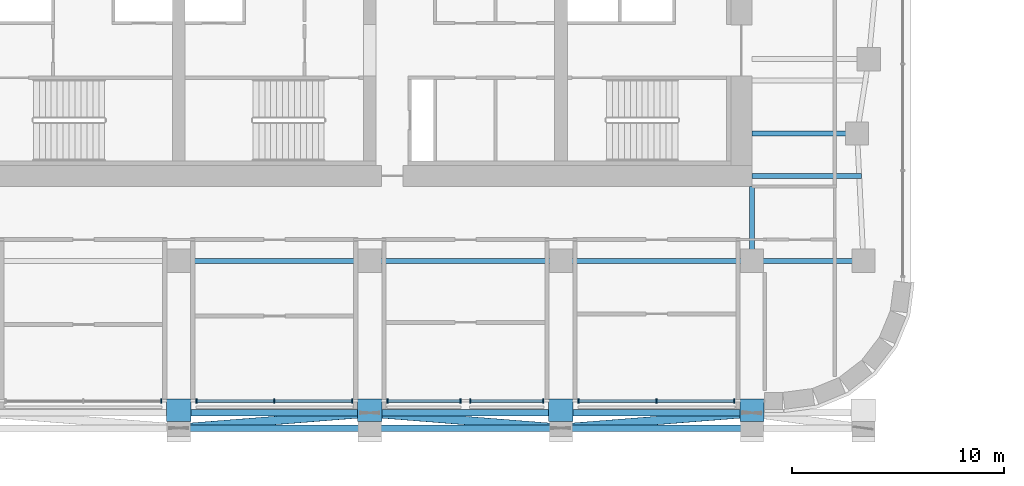
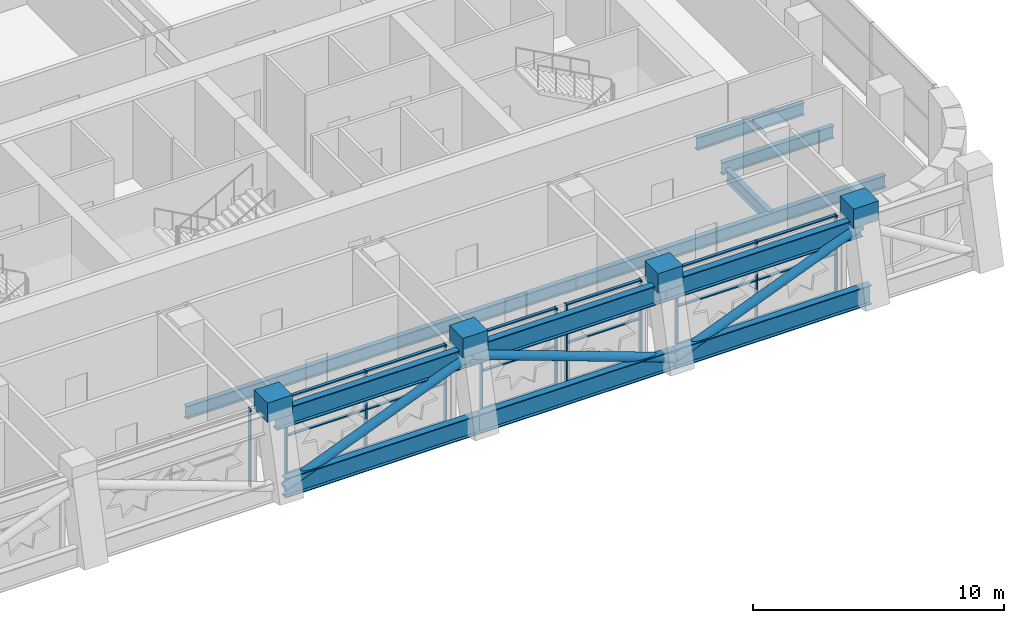
# One storey, part 4 of 27: 38 members, 9 beams, 5 elements without a shape of their own.
"""IFC4 building model written with IfcOpenShell, lengths in metres."""

from ifc_helpers import new_model, si_unit, direction, frame, origin, origin_2d, place, context, subcontext, project, spatial, rectangle, hollow_circle, i_section, extrude, material, material_profile, profile_set, type_object, element, aggregate, save


model = new_model("IFC4")

# Units and contexts
model_context = context("Model", 3, precision=1e-05, world=origin(), true_north=direction((0.0, 1.0)))
body_context = subcontext(model_context, "Body", "Model", "MODEL_VIEW")
ifc_project = project(units=[si_unit("LENGTHUNIT", "METRE"), si_unit("AREAUNIT", "SQUARE_METRE"), si_unit("VOLUMEUNIT", "CUBIC_METRE"), si_unit("PLANEANGLEUNIT", "RADIAN"), si_unit("MASSUNIT", "GRAM", prefix="KILO")], contexts=[model_context])

# Site, building, storey
site_placement = place(None, origin())
site = spatial("IfcSite", under=ifc_project, at=site_placement, CompositionType="ELEMENT")
building_placement = place(site_placement, origin())
building = spatial("IfcBuilding", under=site, at=building_placement, Name="Zellij Exchange Tower", CompositionType="ELEMENT")
storey_placement = place(building_placement, frame((0.0, 0.0, 104.5)))
storey = spatial("IfcBuildingStorey", under=building, at=storey_placement, Name="L22", CompositionType="ELEMENT", Elevation=104.5)

# Curtain wall, member
ifc_material_1 = material(Name="Aluminium frame, clear insulating glass", Category="aluminium")
curtain_wall_type = type_object("IfcCurtainWallType", Name="ENV-CW2 Outrigger-storey glazing", PredefinedType="NOTDEFINED", material=ifc_material_1)
curtain_wall_1_placement = place(storey_placement, origin())
curtain_wall_1 = element("IfcCurtainWall", 1, at=curtain_wall_1_placement, inside=storey, type_object=curtain_wall_type, Name="cw.L22.00e", PredefinedType="NOTDEFINED")
ifc_material_2 = material(Name="Aluminium", Category="aluminium")
ifc_material_profile_1 = material_profile(ifc_material_2, rectangle(XDim=0.06005859375, YDim=0.199951171875, at=origin_2d()), Name="AL 60x200")
ifc_profile_set_1 = profile_set([ifc_material_profile_1], Name="Aluminium")
member_type_1 = type_object("IfcMemberType", Name="ENV-CW2M Mullion 60x200", PredefinedType="MULLION", material=ifc_profile_set_1)
member_1_placement = place(storey_placement, frame((-0.830078125, -24.10009765625, 0.0), z_axis=(0.0, 0.0, 1.0), x_axis=(1.0, 0.0, 0.0)))
member_1 = element("IfcMember", 2, at=member_1_placement, type_object=member_type_1, Name="CW2 mullion 3", PredefinedType="MULLION", context=body_context, shape_type="SweptSolid", body=[
    extrude(rectangle(XDim=0.06005859375, YDim=0.199951171875, at=origin_2d()), origin(), (0.0, 0.0, 1.0), 3.800048828125),
])
aggregate(curtain_wall_1, [member_1])

# Curtain wall, members
curtain_wall_2_placement = place(storey_placement, origin())
curtain_wall_2 = element("IfcCurtainWall", 3, at=curtain_wall_2_placement, inside=storey, type_object=curtain_wall_type, Name="cw.L22.00f", PredefinedType="NOTDEFINED")
member_2_placement = place(storey_placement, frame((0.830078125, -24.10009765625, 0.0), z_axis=(0.0, 0.0, 1.0), x_axis=(1.0, 0.0, 0.0)))
member_2 = element("IfcMember", 4, at=member_2_placement, type_object=member_type_1, Name="CW2 mullion 1", PredefinedType="MULLION", context=body_context, shape_type="SweptSolid", body=[
    extrude(rectangle(XDim=0.06005859375, YDim=0.199951171875, at=origin_2d()), origin(), (0.0, 0.0, 1.0), 3.800048828125),
])
member_3_placement = place(storey_placement, frame((4.5, -24.10009765625, 0.0), z_axis=(0.0, 0.0, 1.0), x_axis=(1.0, 0.0, 0.0)))
member_3 = element("IfcMember", 5, at=member_3_placement, type_object=member_type_1, Name="CW2 mullion 2", PredefinedType="MULLION", context=body_context, shape_type="SweptSolid", body=[
    extrude(rectangle(XDim=0.06005859375, YDim=0.199951171875, at=origin_2d()), origin(), (0.0, 0.0, 1.0), 3.800048828125),
])
member_4_placement = place(storey_placement, frame((8.169921875, -24.10009765625, 0.0), z_axis=(0.0, 0.0, 1.0), x_axis=(1.0, 0.0, 0.0)))
member_4 = element("IfcMember", 6, at=member_4_placement, type_object=member_type_1, Name="CW2 mullion 3", PredefinedType="MULLION", context=body_context, shape_type="SweptSolid", body=[
    extrude(rectangle(XDim=0.06005859375, YDim=0.199951171875, at=origin_2d()), origin(), (0.0, 0.0, 1.0), 3.800048828125),
])

curtain_wall_3_placement = place(storey_placement, origin())
curtain_wall_3 = element("IfcCurtainWall", 7, at=curtain_wall_3_placement, inside=storey, type_object=curtain_wall_type, Name="cw.L22.00g", PredefinedType="NOTDEFINED")
member_5_placement = place(storey_placement, frame((9.830078125, -24.10009765625, 0.0), z_axis=(0.0, 0.0, 1.0), x_axis=(1.0, 0.0, 0.0)))
member_5 = element("IfcMember", 8, at=member_5_placement, type_object=member_type_1, Name="CW2 mullion 1", PredefinedType="MULLION", context=body_context, shape_type="SweptSolid", body=[
    extrude(rectangle(XDim=0.06005859375, YDim=0.199951171875, at=origin_2d()), origin(), (0.0, 0.0, 1.0), 3.800048828125),
])
member_6_placement = place(storey_placement, frame((13.27001953125, -24.10009765625, 0.0), z_axis=(0.0, 0.0, 1.0), x_axis=(1.0, 0.0, 0.0)))
member_6 = element("IfcMember", 9, at=member_6_placement, type_object=member_type_1, Name="CW2 mullion 2", PredefinedType="MULLION", context=body_context, shape_type="SweptSolid", body=[
    extrude(rectangle(XDim=0.06005859375, YDim=0.199951171875, at=origin_2d()), origin(), (0.0, 0.0, 1.0), 3.800048828125),
])

curtain_wall_4_placement = place(storey_placement, origin())
curtain_wall_4 = element("IfcCurtainWall", 10, at=curtain_wall_4_placement, inside=storey, type_object=curtain_wall_type, Name="cw.L22.00h", PredefinedType="NOTDEFINED")
member_7_placement = place(storey_placement, frame((13.72998046875, -24.10009765625, 0.0), z_axis=(0.0, 0.0, 1.0), x_axis=(1.0, 0.0, 0.0)))
member_7 = element("IfcMember", 11, at=member_7_placement, type_object=member_type_1, Name="CW2 mullion 1", PredefinedType="MULLION", context=body_context, shape_type="SweptSolid", body=[
    extrude(rectangle(XDim=0.06005859375, YDim=0.199951171875, at=origin_2d()), origin(), (0.0, 0.0, 1.0), 3.800048828125),
])
member_8_placement = place(storey_placement, frame((17.169921875, -24.10009765625, 0.0), z_axis=(0.0, 0.0, 1.0), x_axis=(1.0, 0.0, 0.0)))
member_8 = element("IfcMember", 12, at=member_8_placement, type_object=member_type_1, Name="CW2 mullion 2", PredefinedType="MULLION", context=body_context, shape_type="SweptSolid", body=[
    extrude(rectangle(XDim=0.06005859375, YDim=0.199951171875, at=origin_2d()), origin(), (0.0, 0.0, 1.0), 3.800048828125),
])

curtain_wall_5_placement = place(storey_placement, origin())
curtain_wall_5 = element("IfcCurtainWall", 13, at=curtain_wall_5_placement, inside=storey, type_object=curtain_wall_type, Name="cw.L22.00i", PredefinedType="NOTDEFINED")
member_9_placement = place(storey_placement, frame((18.830078125, -24.10009765625, 0.0), z_axis=(0.0, 0.0, 1.0), x_axis=(1.0, 0.0, 0.0)))
member_9 = element("IfcMember", 14, at=member_9_placement, type_object=member_type_1, Name="CW2 mullion 1", PredefinedType="MULLION", context=body_context, shape_type="SweptSolid", body=[
    extrude(rectangle(XDim=0.06005859375, YDim=0.199951171875, at=origin_2d()), origin(), (0.0, 0.0, 1.0), 3.800048828125),
])
member_10_placement = place(storey_placement, frame((22.5, -24.10009765625, 0.0), z_axis=(0.0, 0.0, 1.0), x_axis=(1.0, 0.0, 0.0)))
member_10 = element("IfcMember", 15, at=member_10_placement, type_object=member_type_1, Name="CW2 mullion 2", PredefinedType="MULLION", context=body_context, shape_type="SweptSolid", body=[
    extrude(rectangle(XDim=0.06005859375, YDim=0.199951171875, at=origin_2d()), origin(), (0.0, 0.0, 1.0), 3.800048828125),
])
member_11_placement = place(storey_placement, frame((26.169921875, -24.10009765625, 0.0), z_axis=(0.0, 0.0, 1.0), x_axis=(1.0, 0.0, 0.0)))
member_11 = element("IfcMember", 16, at=member_11_placement, type_object=member_type_1, Name="CW2 mullion 3", PredefinedType="MULLION", context=body_context, shape_type="SweptSolid", body=[
    extrude(rectangle(XDim=0.06005859375, YDim=0.199951171875, at=origin_2d()), origin(), (0.0, 0.0, 1.0), 3.800048828125),
])

# Member
ifc_material_profile_2 = material_profile(ifc_material_2, rectangle(XDim=0.139892578125, YDim=0.06005859375, at=origin_2d()), Name="AL 140x60")
ifc_profile_set_2 = profile_set([ifc_material_profile_2], Name="Aluminium")
member_type_2 = type_object("IfcMemberType", Name="ENV-CW2T Transom 140x60", PredefinedType="USERDEFINED", material=ifc_profile_set_2)
member_12_placement = place(storey_placement, frame((0.860107421875, -24.10009765625, 0.030029296875), z_axis=(1.0, 0.0, 0.0), x_axis=(0.0, 1.0, 0.0)))
member_12 = element("IfcMember", 17, at=member_12_placement, type_object=member_type_2, Name="CW2 transom 1.1", ObjectType="TRANSOM", PredefinedType="USERDEFINED", context=body_context, shape_type="SweptSolid", body=[
    extrude(rectangle(XDim=0.139892578125, YDim=0.06005859375, at=origin_2d()), origin(), (0.0, 0.0, 1.0), 3.60986328125),
])

member_13_placement = place(storey_placement, frame((0.860107421875, -24.10009765625, 1.89990234375), z_axis=(1.0, 0.0, 0.0), x_axis=(0.0, 1.0, 0.0)))
member_13 = element("IfcMember", 18, at=member_13_placement, type_object=member_type_2, Name="CW2 transom 1.2", ObjectType="TRANSOM", PredefinedType="USERDEFINED", context=body_context, shape_type="SweptSolid", body=[
    extrude(rectangle(XDim=0.139892578125, YDim=0.06005859375, at=origin_2d()), origin(), (0.0, 0.0, 1.0), 3.60986328125),
])

member_14_placement = place(storey_placement, frame((0.860107421875, -24.10009765625, 3.77001953125), z_axis=(1.0, 0.0, 0.0), x_axis=(0.0, 1.0, 0.0)))
member_14 = element("IfcMember", 19, at=member_14_placement, type_object=member_type_2, Name="CW2 transom 1.3", ObjectType="TRANSOM", PredefinedType="USERDEFINED", context=body_context, shape_type="SweptSolid", body=[
    extrude(rectangle(XDim=0.139892578125, YDim=0.06005859375, at=origin_2d()), origin(), (0.0, 0.0, 1.0), 3.60986328125),
])

member_15_placement = place(storey_placement, frame((4.530029296875, -24.10009765625, 0.030029296875), z_axis=(1.0, 0.0, 0.0), x_axis=(0.0, 1.0, 0.0)))
member_15 = element("IfcMember", 20, at=member_15_placement, type_object=member_type_2, Name="CW2 transom 2.1", ObjectType="TRANSOM", PredefinedType="USERDEFINED", context=body_context, shape_type="SweptSolid", body=[
    extrude(rectangle(XDim=0.139892578125, YDim=0.06005859375, at=origin_2d()), origin(), (0.0, 0.0, 1.0), 3.60986328125),
])

member_16_placement = place(storey_placement, frame((4.530029296875, -24.10009765625, 1.89990234375), z_axis=(1.0, 0.0, 0.0), x_axis=(0.0, 1.0, 0.0)))
member_16 = element("IfcMember", 21, at=member_16_placement, type_object=member_type_2, Name="CW2 transom 2.2", ObjectType="TRANSOM", PredefinedType="USERDEFINED", context=body_context, shape_type="SweptSolid", body=[
    extrude(rectangle(XDim=0.139892578125, YDim=0.06005859375, at=origin_2d()), origin(), (0.0, 0.0, 1.0), 3.60986328125),
])

member_17_placement = place(storey_placement, frame((4.530029296875, -24.10009765625, 3.77001953125), z_axis=(1.0, 0.0, 0.0), x_axis=(0.0, 1.0, 0.0)))
member_17 = element("IfcMember", 22, at=member_17_placement, type_object=member_type_2, Name="CW2 transom 2.3", ObjectType="TRANSOM", PredefinedType="USERDEFINED", context=body_context, shape_type="SweptSolid", body=[
    extrude(rectangle(XDim=0.139892578125, YDim=0.06005859375, at=origin_2d()), origin(), (0.0, 0.0, 1.0), 3.60986328125),
])

aggregate(curtain_wall_2, [member_2, member_3, member_4, member_12, member_13, member_14, member_15, member_16, member_17])

member_18_placement = place(storey_placement, frame((9.860107421875, -24.10009765625, 0.030029296875), z_axis=(1.0, 0.0, 0.0), x_axis=(0.0, 1.0, 0.0)))
member_18 = element("IfcMember", 23, at=member_18_placement, type_object=member_type_2, Name="CW2 transom 1.1", ObjectType="TRANSOM", PredefinedType="USERDEFINED", context=body_context, shape_type="SweptSolid", body=[
    extrude(rectangle(XDim=0.139892578125, YDim=0.06005859375, at=origin_2d()), origin(), (0.0, 0.0, 1.0), 3.3798828125),
])

member_19_placement = place(storey_placement, frame((9.860107421875, -24.10009765625, 1.89990234375), z_axis=(1.0, 0.0, 0.0), x_axis=(0.0, 1.0, 0.0)))
member_19 = element("IfcMember", 24, at=member_19_placement, type_object=member_type_2, Name="CW2 transom 1.2", ObjectType="TRANSOM", PredefinedType="USERDEFINED", context=body_context, shape_type="SweptSolid", body=[
    extrude(rectangle(XDim=0.139892578125, YDim=0.06005859375, at=origin_2d()), origin(), (0.0, 0.0, 1.0), 3.3798828125),
])

member_20_placement = place(storey_placement, frame((9.860107421875, -24.10009765625, 3.77001953125), z_axis=(1.0, 0.0, 0.0), x_axis=(0.0, 1.0, 0.0)))
member_20 = element("IfcMember", 25, at=member_20_placement, type_object=member_type_2, Name="CW2 transom 1.3", ObjectType="TRANSOM", PredefinedType="USERDEFINED", context=body_context, shape_type="SweptSolid", body=[
    extrude(rectangle(XDim=0.139892578125, YDim=0.06005859375, at=origin_2d()), origin(), (0.0, 0.0, 1.0), 3.3798828125),
])

aggregate(curtain_wall_3, [member_5, member_6, member_18, member_19, member_20])

member_21_placement = place(storey_placement, frame((13.760009765625, -24.10009765625, 0.030029296875), z_axis=(1.0, 0.0, 0.0), x_axis=(0.0, 1.0, 0.0)))
member_21 = element("IfcMember", 26, at=member_21_placement, type_object=member_type_2, Name="CW2 transom 1.1", ObjectType="TRANSOM", PredefinedType="USERDEFINED", context=body_context, shape_type="SweptSolid", body=[
    extrude(rectangle(XDim=0.139892578125, YDim=0.06005859375, at=origin_2d()), origin(), (0.0, 0.0, 1.0), 3.3798828125),
])

member_22_placement = place(storey_placement, frame((13.760009765625, -24.10009765625, 1.89990234375), z_axis=(1.0, 0.0, 0.0), x_axis=(0.0, 1.0, 0.0)))
member_22 = element("IfcMember", 27, at=member_22_placement, type_object=member_type_2, Name="CW2 transom 1.2", ObjectType="TRANSOM", PredefinedType="USERDEFINED", context=body_context, shape_type="SweptSolid", body=[
    extrude(rectangle(XDim=0.139892578125, YDim=0.06005859375, at=origin_2d()), origin(), (0.0, 0.0, 1.0), 3.3798828125),
])

member_23_placement = place(storey_placement, frame((13.760009765625, -24.10009765625, 3.77001953125), z_axis=(1.0, 0.0, 0.0), x_axis=(0.0, 1.0, 0.0)))
member_23 = element("IfcMember", 28, at=member_23_placement, type_object=member_type_2, Name="CW2 transom 1.3", ObjectType="TRANSOM", PredefinedType="USERDEFINED", context=body_context, shape_type="SweptSolid", body=[
    extrude(rectangle(XDim=0.139892578125, YDim=0.06005859375, at=origin_2d()), origin(), (0.0, 0.0, 1.0), 3.3798828125),
])

aggregate(curtain_wall_4, [member_7, member_8, member_21, member_22, member_23])

member_24_placement = place(storey_placement, frame((18.860107421875, -24.10009765625, 0.030029296875), z_axis=(1.0, 0.0, 0.0), x_axis=(0.0, 1.0, 0.0)))
member_24 = element("IfcMember", 29, at=member_24_placement, type_object=member_type_2, Name="CW2 transom 1.1", ObjectType="TRANSOM", PredefinedType="USERDEFINED", context=body_context, shape_type="SweptSolid", body=[
    extrude(rectangle(XDim=0.139892578125, YDim=0.06005859375, at=origin_2d()), origin(), (0.0, 0.0, 1.0), 3.60986328125),
])

member_25_placement = place(storey_placement, frame((18.860107421875, -24.10009765625, 1.89990234375), z_axis=(1.0, 0.0, 0.0), x_axis=(0.0, 1.0, 0.0)))
member_25 = element("IfcMember", 30, at=member_25_placement, type_object=member_type_2, Name="CW2 transom 1.2", ObjectType="TRANSOM", PredefinedType="USERDEFINED", context=body_context, shape_type="SweptSolid", body=[
    extrude(rectangle(XDim=0.139892578125, YDim=0.06005859375, at=origin_2d()), origin(), (0.0, 0.0, 1.0), 3.60986328125),
])

member_26_placement = place(storey_placement, frame((18.860107421875, -24.10009765625, 3.77001953125), z_axis=(1.0, 0.0, 0.0), x_axis=(0.0, 1.0, 0.0)))
member_26 = element("IfcMember", 31, at=member_26_placement, type_object=member_type_2, Name="CW2 transom 1.3", ObjectType="TRANSOM", PredefinedType="USERDEFINED", context=body_context, shape_type="SweptSolid", body=[
    extrude(rectangle(XDim=0.139892578125, YDim=0.06005859375, at=origin_2d()), origin(), (0.0, 0.0, 1.0), 3.60986328125),
])

member_27_placement = place(storey_placement, frame((22.530029296875, -24.10009765625, 0.030029296875), z_axis=(1.0, 0.0, 0.0), x_axis=(0.0, 1.0, 0.0)))
member_27 = element("IfcMember", 32, at=member_27_placement, type_object=member_type_2, Name="CW2 transom 2.1", ObjectType="TRANSOM", PredefinedType="USERDEFINED", context=body_context, shape_type="SweptSolid", body=[
    extrude(rectangle(XDim=0.139892578125, YDim=0.06005859375, at=origin_2d()), origin(), (0.0, 0.0, 1.0), 3.60986328125),
])

member_28_placement = place(storey_placement, frame((22.530029296875, -24.10009765625, 1.89990234375), z_axis=(1.0, 0.0, 0.0), x_axis=(0.0, 1.0, 0.0)))
member_28 = element("IfcMember", 33, at=member_28_placement, type_object=member_type_2, Name="CW2 transom 2.2", ObjectType="TRANSOM", PredefinedType="USERDEFINED", context=body_context, shape_type="SweptSolid", body=[
    extrude(rectangle(XDim=0.139892578125, YDim=0.06005859375, at=origin_2d()), origin(), (0.0, 0.0, 1.0), 3.60986328125),
])

member_29_placement = place(storey_placement, frame((22.530029296875, -24.10009765625, 3.77001953125), z_axis=(1.0, 0.0, 0.0), x_axis=(0.0, 1.0, 0.0)))
member_29 = element("IfcMember", 34, at=member_29_placement, type_object=member_type_2, Name="CW2 transom 2.3", ObjectType="TRANSOM", PredefinedType="USERDEFINED", context=body_context, shape_type="SweptSolid", body=[
    extrude(rectangle(XDim=0.139892578125, YDim=0.06005859375, at=origin_2d()), origin(), (0.0, 0.0, 1.0), 3.60986328125),
])

aggregate(curtain_wall_5, [member_9, member_10, member_11, member_24, member_25, member_26, member_27, member_28, member_29])

# Beam
ifc_material_3 = material(Name="Structural steel ASTM A992 Gr 50", Category="steel")
ifc_material_profile_3 = material_profile(ifc_material_3, i_section(OverallWidth=0.227783203125, OverallDepth=0.60205078125, WebThickness=0.010498046875, FlangeThickness=0.014892578125, at=origin_2d()), Name="W24x68")
ifc_profile_set_3 = profile_set([ifc_material_profile_3], Name="Structural steel ASTM A992 Gr 50")
beam_type_1 = type_object("IfcBeamType", Name="STR-BEAM W24x68", PredefinedType="BEAM", material=ifc_profile_set_3)
beam_1_placement = place(storey_placement, frame((27.0, -13.5, -0.65087890625), z_axis=(1.0, 0.0, 0.0), x_axis=(0.0, 1.0, 0.0)))
element("IfcBeam", 35, at=beam_1_placement, inside=storey, type_object=beam_type_1, Name="B5", PredefinedType="BEAM", context=body_context, shape_type="SweptSolid", body=[
    extrude(i_section(OverallWidth=0.227783203125, OverallDepth=0.60205078125, WebThickness=0.010498046875, FlangeThickness=0.014892578125, at=origin_2d()), origin(), (0.0, 0.0, 1.0), 5.164794921875),
])

# Members
ifc_material_profile_4 = material_profile(ifc_material_3, i_section(OverallWidth=0.307373046875, OverallDepth=0.9423828125, WebThickness=0.022216796875, FlangeThickness=0.039794921875, at=origin_2d()), Name="W36x232")
ifc_profile_set_4 = profile_set([ifc_material_profile_4], Name="Structural steel ASTM A992 Gr 50")
member_type_3 = type_object("IfcMemberType", Name="STR-BELT TRUSS CHORD W36x232", PredefinedType="CHORD", material=ifc_profile_set_4)
for number, where, z_axis, x_axis, name in (
    (36, (0.0, -25.382080078125, 0.47119140625), (1.0, 0.0, 0.0), (0.0, 1.0, 0.0), "BT1"),
    (37, (0.0, -24.667724609375, 3.328857421875), (1.0, 0.0, 0.0), (0.0, 1.0, 0.0), "BT1"),
    (38, (9.0, -25.382080078125, 0.47119140625), (1.0, 0.0, 0.0), (0.0, 1.0, 0.0), "BT1"),
    (39, (9.0, -24.667724609375, 3.328857421875), (1.0, 0.0, 0.0), (0.0, 1.0, 0.0), "BT1"),
    (40, (18.0, -25.382080078125, 0.47119140625), (1.0, 0.0, 0.0), (0.0, 1.0, 0.0), "BT1"),
    (41, (18.0, -24.667724609375, 3.328857421875), (1.0, 0.0, 0.0), (0.0, 1.0, 0.0), "BT1"),
):
    element("IfcMember", number, at=place(storey_placement, frame(where, z_axis=z_axis, x_axis=x_axis)), inside=storey, type_object=member_type_3, Name=name, PredefinedType="CHORD", context=body_context, shape_type="SweptSolid", body=[
        extrude(i_section(OverallWidth=0.307373046875, OverallDepth=0.9423828125, WebThickness=0.022216796875, FlangeThickness=0.039794921875, at=origin_2d()), origin(), (0.0, 0.0, 1.0), 9.0),
    ])
ifc_material_4 = material(Name="Structural steel ASTM A500 Gr C", Category="steel")
ifc_material_profile_5 = material_profile(ifc_material_4, hollow_circle(Radius=0.203125, WallThickness=0.01171875, at=origin_2d()), Name="STR-BELT TRUSS DIAGONAL HSS16.000x0.500")
ifc_profile_set_5 = profile_set([ifc_material_profile_5], Name="Structural steel ASTM A500 Gr C")
member_type_4 = type_object("IfcMemberType", Name="STR-BELT TRUSS DIAGONAL HSS16.000x0.500", PredefinedType="BRACE", material=ifc_profile_set_5)
for number, where, z_axis, x_axis, name in (
    (42, (0.0, -25.382080078125, 0.47119140625), (0.950392591406, 0.075435349459, 0.301767178885), (-0.079123978831, 0.996864783195, 0.0), "BT2"),
    (43, (9.0, -24.667724609375, 3.328857421875), (0.950392591406, -0.075435349459, -0.301767178885), (0.079123978831, 0.996864783195, 0.0), "BT2"),
    (44, (18.0, -25.382080078125, 0.47119140625), (0.950392591406, 0.075435349459, 0.301767178885), (-0.079123978831, 0.996864783195, 0.0), "BT2"),
):
    element("IfcMember", number, at=place(storey_placement, frame(where, z_axis=z_axis, x_axis=x_axis)), inside=storey, type_object=member_type_4, Name=name, PredefinedType="BRACE", context=body_context, shape_type="SweptSolid", body=[
        extrude(hollow_circle(Radius=0.203125, WallThickness=0.01171875, at=origin_2d()), origin(), (0.0, 0.0, 1.0), 9.4697265625),
    ])

# Beams
ifc_material_profile_6 = material_profile(ifc_material_3, i_section(OverallWidth=0.22900390625, OverallDepth=0.612060546875, WebThickness=0.011962890625, FlangeThickness=0.01953125, at=origin_2d()), Name="W24x84")
ifc_profile_set_6 = profile_set([ifc_material_profile_6], Name="Structural steel ASTM A992 Gr 50")
beam_type_2 = type_object("IfcBeamType", Name="STR-GIRDER W24x84", PredefinedType="BEAM", material=ifc_profile_set_6)
beam_2_placement = place(storey_placement, frame((0.0, -17.5, -0.656005859375), z_axis=(1.0, 0.0, 0.0), x_axis=(0.0, 1.0, 0.0)))
element("IfcBeam", 45, at=beam_2_placement, inside=storey, type_object=beam_type_2, Name="G4", PredefinedType="BEAM", context=body_context, shape_type="SweptSolid", body=[
    extrude(i_section(OverallWidth=0.22900390625, OverallDepth=0.612060546875, WebThickness=0.011962890625, FlangeThickness=0.01953125, at=origin_2d()), origin(), (0.0, 0.0, 1.0), 18.0),
])
beam_3_placement = place(storey_placement, frame((18.0, -17.5, -0.656005859375), z_axis=(1.0, 0.0, 0.0), x_axis=(0.0, 1.0, 0.0)))
element("IfcBeam", 46, at=beam_3_placement, inside=storey, type_object=beam_type_2, Name="G4", PredefinedType="BEAM", context=body_context, shape_type="SweptSolid", body=[
    extrude(i_section(OverallWidth=0.22900390625, OverallDepth=0.612060546875, WebThickness=0.011962890625, FlangeThickness=0.01953125, at=origin_2d()), origin(), (0.0, 0.0, 1.0), 14.25),
])
beam_4_placement = place(storey_placement, frame((27.0, -11.5, -0.656005859375), z_axis=(1.0, 0.0, 0.0), x_axis=(0.0, 1.0, 0.0)))
element("IfcBeam", 47, at=beam_4_placement, inside=storey, type_object=beam_type_2, Name="G4", PredefinedType="BEAM", context=body_context, shape_type="SweptSolid", body=[
    extrude(i_section(OverallWidth=0.22900390625, OverallDepth=0.612060546875, WebThickness=0.011962890625, FlangeThickness=0.01953125, at=origin_2d()), origin(), (0.0, 0.0, 1.0), 4.949951171875),
])
beam_5_placement = place(storey_placement, frame((27.0, -17.5, -0.656005859375), z_axis=(0.0, 1.0, 0.0), x_axis=(-1.0, 0.0, 0.0)))
element("IfcBeam", 48, at=beam_5_placement, inside=storey, type_object=beam_type_2, Name="G4", PredefinedType="BEAM", context=body_context, shape_type="SweptSolid", body=[
    extrude(i_section(OverallWidth=0.22900390625, OverallDepth=0.612060546875, WebThickness=0.011962890625, FlangeThickness=0.01953125, at=origin_2d()), origin(), (0.0, 0.0, 1.0), 3.5),
])
ifc_material_5 = material(Name="Concrete C70/85", Category="concrete")
ifc_material_profile_7 = material_profile(ifc_material_5, rectangle(XDim=1.14990234375, YDim=0.949951171875, at=origin_2d()), Name="STR-KNUCKLE BLOCK RC1150x950 C70/85")
ifc_profile_set_7 = profile_set([ifc_material_profile_7], Name="Concrete C70/85")
beam_type_3 = type_object("IfcBeamType", Name="STR-KNUCKLE BLOCK RC1150x950 C70/85", PredefinedType="BEAM", material=ifc_profile_set_7)
for number, where, z_axis, x_axis, name in (
    (49, (0.0, -25.06689453125, 4.074951171875), (0.0, 1.0, 0.0), (-1.0, 0.0, 0.0), "KB5"),
    (50, (9.0, -25.06689453125, 4.074951171875), (0.0, 1.0, 0.0), (-1.0, 0.0, 0.0), "KB5"),
    (51, (18.0, -25.06689453125, 4.074951171875), (0.0, 1.0, 0.0), (-1.0, 0.0, 0.0), "KB5"),
    (52, (27.0, -25.06689453125, 4.074951171875), (0.0, 1.0, 0.0), (-1.0, 0.0, 0.0), "KB5"),
):
    element("IfcBeam", number, at=place(storey_placement, frame(where, z_axis=z_axis, x_axis=x_axis)), inside=storey, type_object=beam_type_3, Name=name, PredefinedType="BEAM", context=body_context, shape_type="SweptSolid", body=[
        extrude(rectangle(XDim=1.14990234375, YDim=0.949951171875, at=origin_2d()), origin(), (0.0, 0.0, 1.0), 1.067138671875),
    ])

save(model, "model.ifc")
